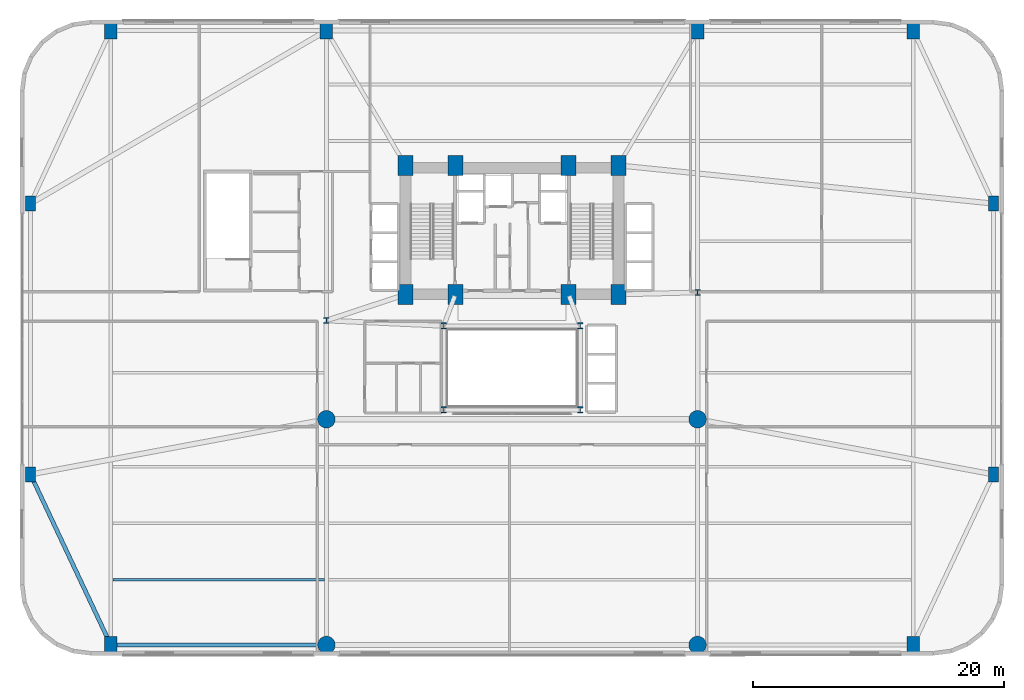
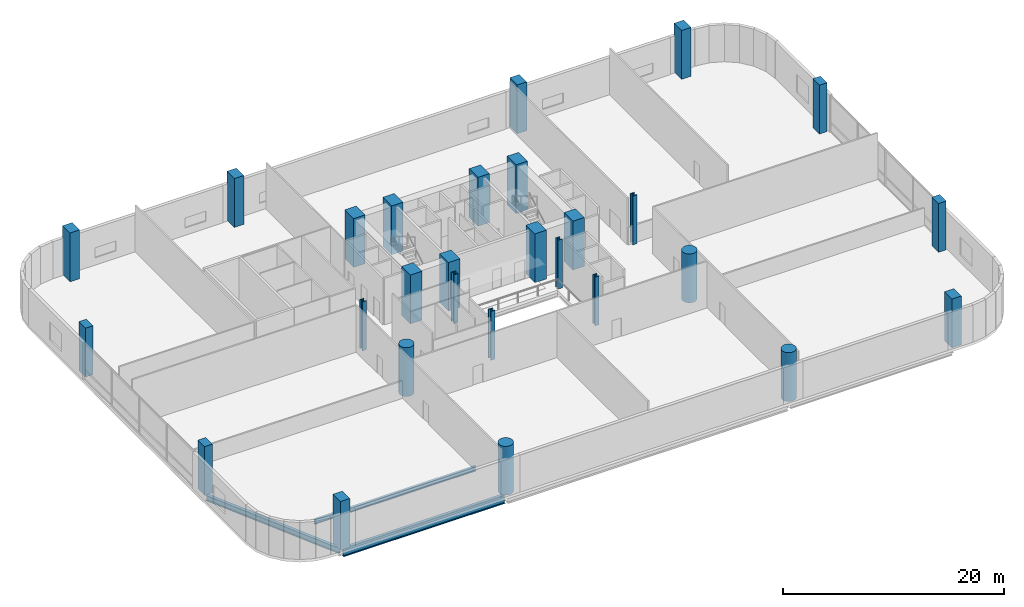
# One storey, part 1 of 31: 28 columns, 3 beams.
"""IFC4 building model written with IfcOpenShell, lengths in metres."""

from ifc_helpers import new_model, si_unit, direction, frame, origin, origin_2d, place, context, subcontext, project, spatial, rectangle, circle, i_section, extrude, material, material_profile, profile_set, type_object, element, save


model = new_model("IFC4")

# Units and contexts
model_context = context("Model", 3, precision=1e-05, world=origin(), true_north=direction((0.0, 1.0)))
body_context = subcontext(model_context, "Body", "Model", "MODEL_VIEW")
ifc_project = project(units=[si_unit("LENGTHUNIT", "METRE"), si_unit("AREAUNIT", "SQUARE_METRE"), si_unit("VOLUMEUNIT", "CUBIC_METRE"), si_unit("PLANEANGLEUNIT", "RADIAN"), si_unit("MASSUNIT", "GRAM", prefix="KILO")], contexts=[model_context])

# Site, building, storey
site_placement = place(None, origin())
site = spatial("IfcSite", under=ifc_project, at=site_placement, CompositionType="ELEMENT")
building_placement = place(site_placement, origin())
building = spatial("IfcBuilding", under=site, at=building_placement, Name="Varnelok Gate Tower", CompositionType="ELEMENT")
storey_placement = place(building_placement, frame((0.0, 0.0, 21.60009765625)))
storey = spatial("IfcBuildingStorey", under=building, at=storey_placement, Name="L04", CompositionType="ELEMENT", Elevation=21.60009765625)

# Columns
ifc_material_1 = material(Name="Concrete C60/75", Category="concrete")
ifc_material_profile_1 = material_profile(ifc_material_1, rectangle(XDim=0.800048828125, YDim=1.199951171875, at=origin_2d()), Name="RC1200X800")
ifc_profile_set_1 = profile_set([ifc_material_profile_1], Name="Concrete C60/75")
column_type_1 = type_object("IfcColumnType", Name="COL-PIL-RC1200", PredefinedType="PILASTER", material=ifc_profile_set_1)
for number, where, z_axis, x_axis, name in (
    (1, (0.800048828125, 14.39990234375, 0.0), (0.0, 0.0, 1.0), (1.0, 0.0, 0.0), "L04 Podium Mega-Column PM11"),
    (2, (0.800048828125, 36.0, 0.0), (0.0, 0.0, 1.0), (1.0, 0.0, 0.0), "L04 Podium Mega-Column PM12"),
    (3, (77.60009765625, 14.39990234375, 0.0), (0.0, 0.0, 1.0), (1.0, 0.0, 0.0), "L04 Podium Mega-Column PM13"),
    (4, (77.60009765625, 36.0, 0.0), (0.0, 0.0, 1.0), (1.0, 0.0, 0.0), "L04 Podium Mega-Column PM14"),
):
    element("IfcColumn", number, at=place(storey_placement, frame(where, z_axis=z_axis, x_axis=x_axis)), inside=storey, type_object=column_type_1, Name=name, PredefinedType="PILASTER", context=body_context, shape_type="SweptSolid", body=[
        extrude(rectangle(XDim=0.800048828125, YDim=1.199951171875, at=origin_2d()), origin(), (0.0, 0.0, 1.0), 5.39990234375),
    ])
ifc_material_2 = material(Name="Concrete C70/85", Category="concrete")
ifc_material_profile_2 = material_profile(ifc_material_2, rectangle(XDim=1.0, YDim=1.35009765625, at=origin_2d()), Name="RC1350X1000")
ifc_profile_set_2 = profile_set([ifc_material_profile_2], Name="Concrete C70/85")
column_type_2 = type_object("IfcColumnType", Name="COL-RC1350X1000", PredefinedType="COLUMN", material=ifc_profile_set_2)
for number, where, z_axis, x_axis, name in (
    (5, (7.199951171875, 0.800048828125, 0.0), (0.0, 0.0, 1.0), (1.0, 0.0, 0.0), "L04 Podium Mega-Column PM01"),
    (6, (71.199951171875, 0.800048828125, 0.0), (0.0, 0.0, 1.0), (1.0, 0.0, 0.0), "L04 Podium Mega-Column PM04"),
    (7, (7.199951171875, 49.800048828125, 0.0), (0.0, 0.0, 1.0), (1.0, 0.0, 0.0), "L04 Podium Mega-Column PM07"),
    (8, (24.39990234375, 49.800048828125, 0.0), (0.0, 0.0, 1.0), (1.0, 0.0, 0.0), "L04 Podium Mega-Column PM08"),
    (9, (54.0, 49.800048828125, 0.0), (0.0, 0.0, 1.0), (1.0, 0.0, 0.0), "L04 Podium Mega-Column PM09"),
    (10, (71.199951171875, 49.800048828125, 0.0), (0.0, 0.0, 1.0), (1.0, 0.0, 0.0), "L04 Podium Mega-Column PM10"),
):
    element("IfcColumn", number, at=place(storey_placement, frame(where, z_axis=z_axis, x_axis=x_axis)), inside=storey, type_object=column_type_2, Name=name, PredefinedType="COLUMN", context=body_context, shape_type="SweptSolid", body=[
        extrude(rectangle(XDim=1.0, YDim=1.35009765625, at=origin_2d()), origin(), (0.0, 0.0, 1.0), 5.39990234375),
    ])
ifc_material_profile_3 = material_profile(ifc_material_2, rectangle(XDim=1.199951171875, YDim=1.60009765625, at=origin_2d()), Name="RC1600X1200")
ifc_profile_set_3 = profile_set([ifc_material_profile_3], Name="Concrete C70/85")
column_type_3 = type_object("IfcColumnType", Name="COL-RC1600X1200", PredefinedType="COLUMN", material=ifc_profile_set_3)
for number, where, z_axis, x_axis, name in (
    (11, (30.699951171875, 28.75, 0.0), (0.0, 0.0, 1.0), (1.0, 0.0, 0.0), "L04 Core Spine Column SC1"),
    (12, (34.679931640625, 28.75, 0.0), (0.0, 0.0, 1.0), (1.0, 0.0, 0.0), "L04 Core Spine Column SC2"),
    (13, (43.719970703125, 28.75, 0.0), (0.0, 0.0, 1.0), (1.0, 0.0, 0.0), "L04 Core Spine Column SC3"),
    (14, (47.699951171875, 28.75, 0.0), (0.0, 0.0, 1.0), (1.0, 0.0, 0.0), "L04 Core Spine Column SC4"),
    (15, (30.699951171875, 39.050048828125, 0.0), (0.0, 0.0, 1.0), (1.0, 0.0, 0.0), "L04 Core Spine Column SC5"),
    (16, (34.679931640625, 39.050048828125, 0.0), (0.0, 0.0, 1.0), (1.0, 0.0, 0.0), "L04 Core Spine Column SC6"),
    (17, (43.719970703125, 39.050048828125, 0.0), (0.0, 0.0, 1.0), (1.0, 0.0, 0.0), "L04 Core Spine Column SC7"),
    (18, (47.699951171875, 39.050048828125, 0.0), (0.0, 0.0, 1.0), (1.0, 0.0, 0.0), "L04 Core Spine Column SC8"),
):
    element("IfcColumn", number, at=place(storey_placement, frame(where, z_axis=z_axis, x_axis=x_axis)), inside=storey, type_object=column_type_3, Name=name, PredefinedType="COLUMN", context=body_context, shape_type="SweptSolid", body=[
        extrude(rectangle(XDim=1.199951171875, YDim=1.60009765625, at=origin_2d()), origin(), (0.0, 0.0, 1.0), 5.39990234375),
    ])
ifc_material_profile_4 = material_profile(ifc_material_1, circle(Radius=0.699951171875, at=origin_2d()), Name="RCD1400")
ifc_profile_set_4 = profile_set([ifc_material_profile_4], Name="Concrete C60/75")
column_type_4 = type_object("IfcColumnType", Name="COL-RCD1400", PredefinedType="COLUMN", material=ifc_profile_set_4)
for number, where, z_axis, x_axis, name in (
    (19, (24.39990234375, 0.800048828125, 0.0), (0.0, 0.0, 1.0), (1.0, 0.0, 0.0), "L04 Podium Mega-Column PM02"),
    (20, (54.0, 0.800048828125, 0.0), (0.0, 0.0, 1.0), (1.0, 0.0, 0.0), "L04 Podium Mega-Column PM03"),
    (21, (24.39990234375, 18.800048828125, 0.0), (0.0, 0.0, 1.0), (1.0, 0.0, 0.0), "L04 Podium Mega-Column PM05"),
    (22, (54.0, 18.800048828125, 0.0), (0.0, 0.0, 1.0), (1.0, 0.0, 0.0), "L04 Podium Mega-Column PM06"),
):
    element("IfcColumn", number, at=place(storey_placement, frame(where, z_axis=z_axis, x_axis=x_axis)), inside=storey, type_object=column_type_4, Name=name, PredefinedType="COLUMN", context=body_context, shape_type="SweptSolid", body=[
        extrude(circle(Radius=0.699951171875, at=origin_2d()), origin(), (0.0, 0.0, 1.0), 5.39990234375),
    ])
ifc_material_3 = material(Name="Structural Steel ASTM A992 Grade 50", Category="steel")
ifc_material_profile_5 = material_profile(ifc_material_3, i_section(OverallWidth=0.431884765625, OverallDepth=0.498046875, WebThickness=0.0556640625, FlangeThickness=0.0888671875, FilletRadius=0.02490234375, at=origin_2d()), Name="W14X500")
ifc_profile_set_5 = profile_set([ifc_material_profile_5], Name="Structural Steel ASTM A992 Grade 50")
column_type_5 = type_object("IfcColumnType", Name="COL-W14X500", PredefinedType="COLUMN", material=ifc_profile_set_5)
for number, where, z_axis, x_axis, name in (
    (23, (33.75, 19.550048828125, 0.0), (0.0, 0.0, 1.0), (1.0, 0.0, 0.0), "L04 Atrium Spine Column AC1"),
    (24, (44.64990234375, 19.550048828125, 0.0), (0.0, 0.0, 1.0), (1.0, 0.0, 0.0), "L04 Atrium Spine Column AC2"),
    (25, (33.75, 26.25, 0.0), (0.0, 0.0, 1.0), (1.0, 0.0, 0.0), "L04 Atrium Spine Column AC3"),
    (26, (44.64990234375, 26.25, 0.0), (0.0, 0.0, 1.0), (1.0, 0.0, 0.0), "L04 Atrium Spine Column AC4"),
    (27, (24.39990234375, 26.679931640625, 0.0), (0.0, 0.0, 1.0), (1.0, 0.0, 0.0), "L04 Wing Spine Column WS2"),
    (28, (54.0, 28.919921875, 0.0), (0.0, 0.0, 1.0), (1.0, 0.0, 0.0), "L04 Wing Spine Column ES2"),
):
    element("IfcColumn", number, at=place(storey_placement, frame(where, z_axis=z_axis, x_axis=x_axis)), inside=storey, type_object=column_type_5, Name=name, PredefinedType="COLUMN", context=body_context, shape_type="SweptSolid", body=[
        extrude(i_section(OverallWidth=0.431884765625, OverallDepth=0.498046875, WebThickness=0.0556640625, FlangeThickness=0.0888671875, FilletRadius=0.02490234375, at=origin_2d()), origin(), (0.0, 0.0, 1.0), 5.39990234375),
    ])

# Beams
ifc_material_profile_6 = material_profile(ifc_material_3, i_section(OverallWidth=0.2119140625, OverallDepth=0.5439453125, WebThickness=0.01318359375, FlangeThickness=0.021240234375, FilletRadius=0.01611328125, at=origin_2d()), Name="W21X83")
ifc_profile_set_6 = profile_set([ifc_material_profile_6], Name="Structural Steel ASTM A992 Grade 50")
beam_type_1 = type_object("IfcBeamType", Name="BM-JST-W21X83", PredefinedType="JOIST", material=ifc_profile_set_6)
beam_1_placement = place(storey_placement, frame((7.360107421875, 6.0, -0.592041015625), z_axis=(1.0, 0.0, 0.0), x_axis=(0.0, 1.0, 0.0)))
element("IfcBeam", 29, at=beam_1_placement, inside=storey, type_object=beam_type_1, Name="L04 Podium Floor Joist", PredefinedType="JOIST", context=body_context, shape_type="SweptSolid", body=[
    extrude(i_section(OverallWidth=0.2119140625, OverallDepth=0.5439453125, WebThickness=0.01318359375, FlangeThickness=0.021240234375, FilletRadius=0.01611328125, at=origin_2d()), origin(), (0.0, 0.0, 1.0), 16.8798828125),
])
ifc_material_profile_7 = material_profile(ifc_material_3, i_section(OverallWidth=0.30810546875, OverallDepth=0.943115234375, WebThickness=0.022216796875, FlangeThickness=0.039794921875, FilletRadius=0.02587890625, at=origin_2d()), Name="W36X232")
ifc_profile_set_7 = profile_set([ifc_material_profile_7], Name="Structural Steel ASTM A992 Grade 50")
beam_type_2 = type_object("IfcBeamType", Name="BM-PRI-W36X232", PredefinedType="BEAM", material=ifc_profile_set_7)
beam_2_placement = place(storey_placement, frame((7.340087890625, 0.800048828125, -0.79150390625), z_axis=(1.0, 0.0, 0.0), x_axis=(0.0, 1.0, 0.0)))
element("IfcBeam", 30, at=beam_2_placement, inside=storey, type_object=beam_type_2, Name="L04 Podium Primary Girder 1", PredefinedType="BEAM", context=body_context, shape_type="SweptSolid", body=[
    extrude(i_section(OverallWidth=0.30810546875, OverallDepth=0.943115234375, WebThickness=0.022216796875, FlangeThickness=0.039794921875, FilletRadius=0.02587890625, at=origin_2d()), origin(), (0.0, 0.0, 1.0), 16.919921875),
])
ifc_material_profile_8 = material_profile(ifc_material_3, i_section(OverallWidth=0.323974609375, OverallDepth=0.611083984375, WebThickness=0.0126953125, FlangeThickness=0.01904296875, FilletRadius=0.01806640625, at=origin_2d()), Name="W24X104")
ifc_profile_set_8 = profile_set([ifc_material_profile_8], Name="Structural Steel ASTM A992 Grade 50")
beam_type_3 = type_object("IfcBeamType", Name="BM-SPN-W24X104", PredefinedType="SPANDREL", material=ifc_profile_set_8)
beam_3_placement = place(storey_placement, frame((7.140380859375, 0.9267578125, -0.62548828125), z_axis=(-0.425801818887, 0.90481645157, 0.0), x_axis=(-0.90481645157, -0.425801818887, 0.0)))
element("IfcBeam", 31, at=beam_3_placement, inside=storey, type_object=beam_type_3, Name="L04 Podium Primary Girder 8", PredefinedType="SPANDREL", context=body_context, shape_type="SweptSolid", body=[
    extrude(i_section(OverallWidth=0.323974609375, OverallDepth=0.611083984375, WebThickness=0.0126953125, FlangeThickness=0.01904296875, FilletRadius=0.01806640625, at=origin_2d()), origin(), (0.0, 0.0, 1.0), 14.75048828125),
])

save(model, "model.ifc")
